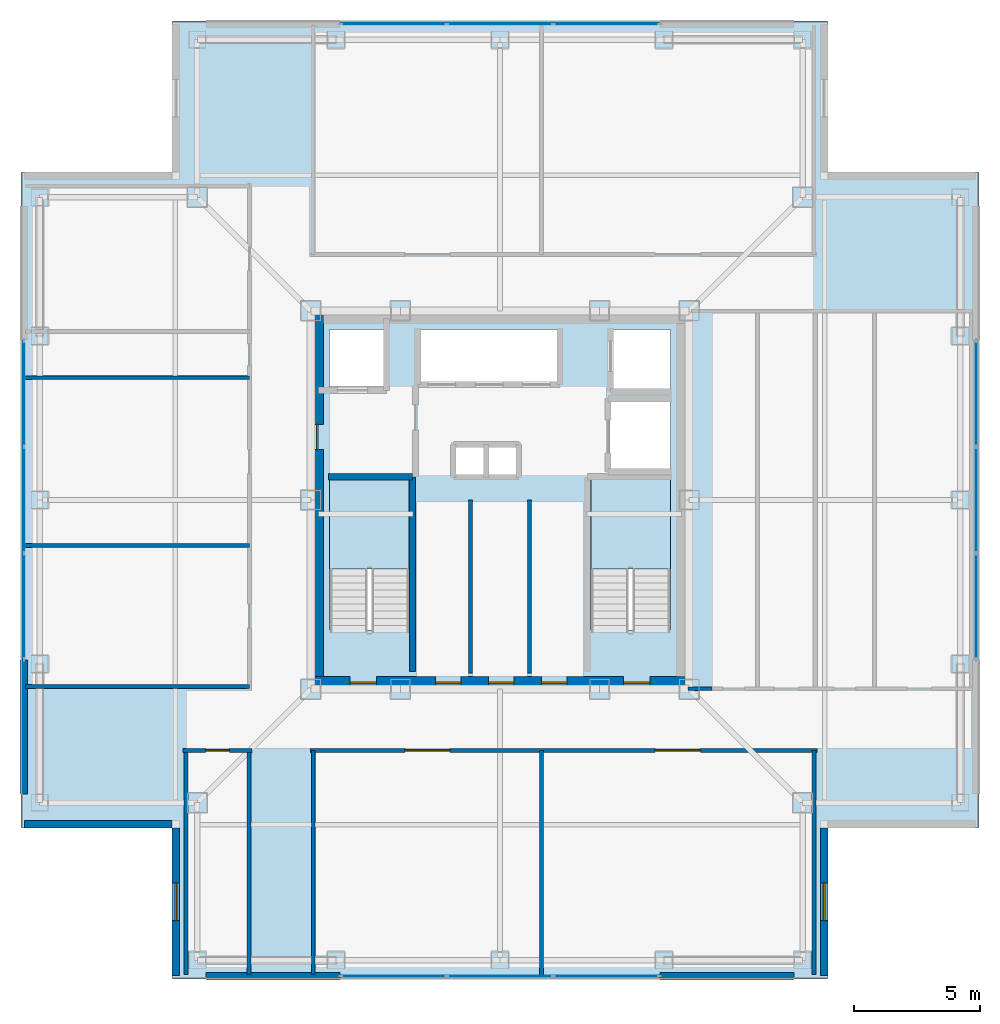
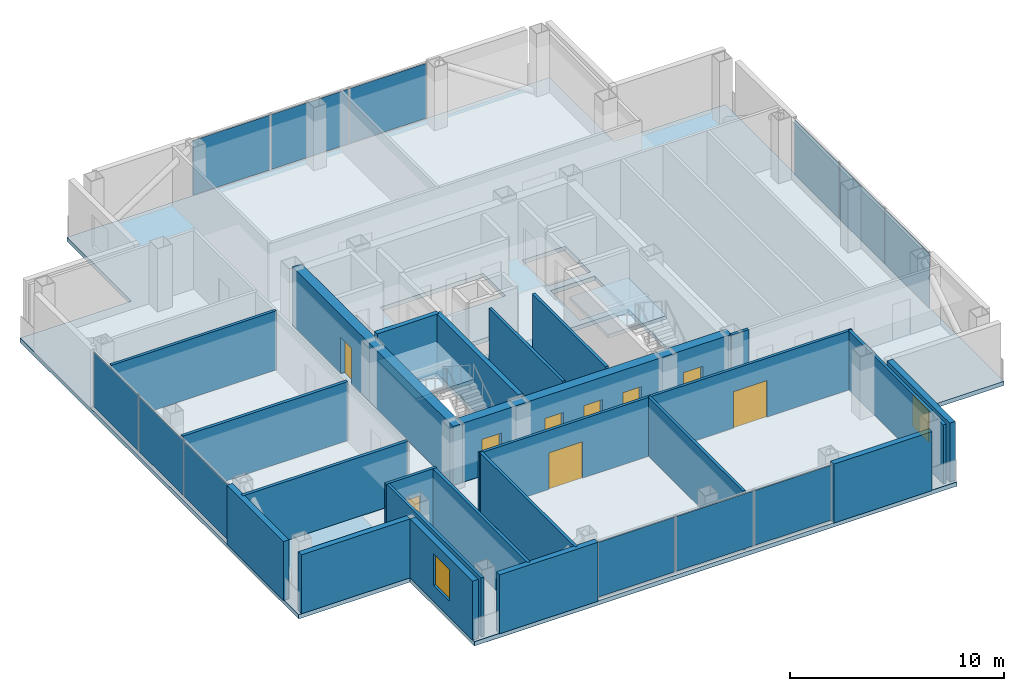
# One storey, part 8 of 16: 23 walls, 12 plates, 9 doors, 3 slabs, 2 windows, 11 openings, 6 elements without a shape of their own.
"""IFC4 building model written with IfcOpenShell, lengths in metres."""

from ifc_helpers import new_model, si_unit, direction, frame, frame_2d, origin, origin_2d, place, context, subcontext, project, spatial, polyline, rectangle, outline, extrude, material, layer, layer_set, type_object, element, fill, aggregate, save


model = new_model("IFC4")

# Units and contexts
model_context = context("Model", 3, precision=1e-05, world=origin(), true_north=direction((0.0, 1.0)))
body_context = subcontext(model_context, "Body", "Model", "MODEL_VIEW")
ifc_project = project(units=[si_unit("LENGTHUNIT", "METRE"), si_unit("AREAUNIT", "SQUARE_METRE"), si_unit("VOLUMEUNIT", "CUBIC_METRE"), si_unit("PLANEANGLEUNIT", "RADIAN"), si_unit("MASSUNIT", "GRAM", prefix="KILO")], contexts=[model_context])

# Site, building, storey
site_placement = place(None, origin())
site = spatial("IfcSite", under=ifc_project, at=site_placement, CompositionType="ELEMENT")
building_placement = place(site_placement, origin())
building = spatial("IfcBuilding", under=site, at=building_placement, Name="Trevonay Congress Spire", CompositionType="ELEMENT")
storey_placement = place(building_placement, frame((0.0, 0.0, 279.199951171875)))
storey = spatial("IfcBuildingStorey", under=building, at=storey_placement, Name="L73", CompositionType="ELEMENT", Elevation=279.199951171875)

# Curtain wall, plates
ifc_material_1 = material(Name="Pale Anodised Aluminium EN AW-6063-T6", Category="aluminium")
ifc_layer_1 = layer(ifc_material_1, 0.1650390625, Name="Pale Anodised Aluminium EN AW-6063-T6")
ifc_layer_set_1 = layer_set([ifc_layer_1], Name="Pale Anodised Aluminium EN AW-6063-T6")
curtain_wall_type = type_object("IfcCurtainWallType", Name="CW-SYS05-DIPLOM-PALE-METAL", PredefinedType="NOTDEFINED", material=ifc_layer_set_1)
curtain_wall_1_placement = place(storey_placement, origin())
curtain_wall_1 = element("IfcCurtainWall", 1, at=curtain_wall_1_placement, inside=storey, type_object=curtain_wall_type, Name="L73 S unitised curtain wall", PredefinedType="NOTDEFINED")
ifc_material_2 = material(Name="Insulated Low-E Vision Glass IGU", Category="glass")
ifc_layer_2 = layer(ifc_material_2, 0.035888671875, Name="Insulated Low-E Vision Glass IGU")
ifc_layer_set_2 = layer_set([ifc_layer_2], Name="Insulated Low-E Vision Glass IGU")
plate_type = type_object("IfcPlateType", Name="CW-PANEL-IGU36-SILVER", PredefinedType="CURTAIN_PANEL", material=ifc_layer_set_2)
plate_1_placement = place(storey_placement, frame((-4.21826171875, -18.8798828125, 0.119873046875), z_axis=(0.0, 0.0, 1.0), x_axis=(1.0, 0.0, 0.0)))
plate_1 = element("IfcPlate", 2, at=plate_1_placement, type_object=plate_type, Name="CW05 panel 1.1", PredefinedType="CURTAIN_PANEL", context=body_context, shape_type="SweptSolid", body=[
    extrude(rectangle(XDim=4.143310546875, YDim=0.035888671875, at=origin_2d()), origin(), (0.0, 0.0, 1.0), 3.1201171875),
])
plate_2_placement = place(storey_placement, frame((0.0, -18.8798828125, 0.119873046875), z_axis=(0.0, 0.0, 1.0), x_axis=(1.0, 0.0, 0.0)))
plate_2 = element("IfcPlate", 3, at=plate_2_placement, type_object=plate_type, Name="CW05 panel 2.1", PredefinedType="CURTAIN_PANEL", context=body_context, shape_type="SweptSolid", body=[
    extrude(rectangle(XDim=4.17333984375, YDim=0.035888671875, at=origin_2d()), origin(), (0.0, 0.0, 1.0), 3.1201171875),
])
plate_3_placement = place(storey_placement, frame((4.21826171875, -18.8798828125, 0.119873046875), z_axis=(0.0, 0.0, 1.0), x_axis=(1.0, 0.0, 0.0)))
plate_3 = element("IfcPlate", 4, at=plate_3_placement, type_object=plate_type, Name="CW05 panel 3.1", PredefinedType="CURTAIN_PANEL", context=body_context, shape_type="SweptSolid", body=[
    extrude(rectangle(XDim=4.143310546875, YDim=0.035888671875, at=origin_2d()), origin(), (0.0, 0.0, 1.0), 3.1201171875),
])
aggregate(curtain_wall_1, [plate_1, plate_2, plate_3])

curtain_wall_2_placement = place(storey_placement, origin())
curtain_wall_2 = element("IfcCurtainWall", 5, at=curtain_wall_2_placement, inside=storey, type_object=curtain_wall_type, Name="L73 N unitised curtain wall", PredefinedType="NOTDEFINED")
plate_4_placement = place(storey_placement, frame((-4.21826171875, 18.8798828125, 0.119873046875), z_axis=(0.0, 0.0, 1.0), x_axis=(1.0, 0.0, 0.0)))
plate_4 = element("IfcPlate", 6, at=plate_4_placement, type_object=plate_type, Name="CW05 panel 1.1", PredefinedType="CURTAIN_PANEL", context=body_context, shape_type="SweptSolid", body=[
    extrude(rectangle(XDim=4.143310546875, YDim=0.035888671875, at=origin_2d()), origin(), (0.0, 0.0, 1.0), 3.1201171875),
])
plate_5_placement = place(storey_placement, frame((0.0, 18.8798828125, 0.119873046875), z_axis=(0.0, 0.0, 1.0), x_axis=(1.0, 0.0, 0.0)))
plate_5 = element("IfcPlate", 7, at=plate_5_placement, type_object=plate_type, Name="CW05 panel 2.1", PredefinedType="CURTAIN_PANEL", context=body_context, shape_type="SweptSolid", body=[
    extrude(rectangle(XDim=4.17333984375, YDim=0.035888671875, at=origin_2d()), origin(), (0.0, 0.0, 1.0), 3.1201171875),
])
plate_6_placement = place(storey_placement, frame((4.21826171875, 18.8798828125, 0.119873046875), z_axis=(0.0, 0.0, 1.0), x_axis=(1.0, 0.0, 0.0)))
plate_6 = element("IfcPlate", 8, at=plate_6_placement, type_object=plate_type, Name="CW05 panel 3.1", PredefinedType="CURTAIN_PANEL", context=body_context, shape_type="SweptSolid", body=[
    extrude(rectangle(XDim=4.143310546875, YDim=0.035888671875, at=origin_2d()), origin(), (0.0, 0.0, 1.0), 3.1201171875),
])
aggregate(curtain_wall_2, [plate_4, plate_5, plate_6])

curtain_wall_3_placement = place(storey_placement, origin())
curtain_wall_3 = element("IfcCurtainWall", 9, at=curtain_wall_3_placement, inside=storey, type_object=curtain_wall_type, Name="L73 W unitised curtain wall", PredefinedType="NOTDEFINED")
plate_7_placement = place(storey_placement, frame((-18.8798828125, -4.21826171875, 0.119873046875), z_axis=(0.0, 0.0, 1.0), x_axis=(0.0, 1.0, 0.0)))
plate_7 = element("IfcPlate", 10, at=plate_7_placement, type_object=plate_type, Name="CW05 panel 1.1", PredefinedType="CURTAIN_PANEL", context=body_context, shape_type="SweptSolid", body=[
    extrude(rectangle(XDim=4.143310546875, YDim=0.035888671875, at=origin_2d()), origin(), (0.0, 0.0, 1.0), 3.1201171875),
])
plate_8_placement = place(storey_placement, frame((-18.8798828125, 0.0, 0.119873046875), z_axis=(0.0, 0.0, 1.0), x_axis=(0.0, 1.0, 0.0)))
plate_8 = element("IfcPlate", 11, at=plate_8_placement, type_object=plate_type, Name="CW05 panel 2.1", PredefinedType="CURTAIN_PANEL", context=body_context, shape_type="SweptSolid", body=[
    extrude(rectangle(XDim=4.17333984375, YDim=0.035888671875, at=origin_2d()), origin(), (0.0, 0.0, 1.0), 3.1201171875),
])
plate_9_placement = place(storey_placement, frame((-18.8798828125, 4.21826171875, 0.119873046875), z_axis=(0.0, 0.0, 1.0), x_axis=(0.0, 1.0, 0.0)))
plate_9 = element("IfcPlate", 12, at=plate_9_placement, type_object=plate_type, Name="CW05 panel 3.1", PredefinedType="CURTAIN_PANEL", context=body_context, shape_type="SweptSolid", body=[
    extrude(rectangle(XDim=4.143310546875, YDim=0.035888671875, at=origin_2d()), origin(), (0.0, 0.0, 1.0), 3.1201171875),
])
aggregate(curtain_wall_3, [plate_7, plate_8, plate_9])

curtain_wall_4_placement = place(storey_placement, origin())
curtain_wall_4 = element("IfcCurtainWall", 13, at=curtain_wall_4_placement, inside=storey, type_object=curtain_wall_type, Name="L73 E unitised curtain wall", PredefinedType="NOTDEFINED")
plate_10_placement = place(storey_placement, frame((18.8798828125, -4.21826171875, 0.119873046875), z_axis=(0.0, 0.0, 1.0), x_axis=(0.0, 1.0, 0.0)))
plate_10 = element("IfcPlate", 14, at=plate_10_placement, type_object=plate_type, Name="CW05 panel 1.1", PredefinedType="CURTAIN_PANEL", context=body_context, shape_type="SweptSolid", body=[
    extrude(rectangle(XDim=4.143310546875, YDim=0.035888671875, at=origin_2d()), origin(), (0.0, 0.0, 1.0), 3.1201171875),
])
plate_11_placement = place(storey_placement, frame((18.8798828125, 0.0, 0.119873046875), z_axis=(0.0, 0.0, 1.0), x_axis=(0.0, 1.0, 0.0)))
plate_11 = element("IfcPlate", 15, at=plate_11_placement, type_object=plate_type, Name="CW05 panel 2.1", PredefinedType="CURTAIN_PANEL", context=body_context, shape_type="SweptSolid", body=[
    extrude(rectangle(XDim=4.17333984375, YDim=0.035888671875, at=origin_2d()), origin(), (0.0, 0.0, 1.0), 3.1201171875),
])
plate_12_placement = place(storey_placement, frame((18.8798828125, 4.21826171875, 0.119873046875), z_axis=(0.0, 0.0, 1.0), x_axis=(0.0, 1.0, 0.0)))
plate_12 = element("IfcPlate", 16, at=plate_12_placement, type_object=plate_type, Name="CW05 panel 3.1", PredefinedType="CURTAIN_PANEL", context=body_context, shape_type="SweptSolid", body=[
    extrude(rectangle(XDim=4.143310546875, YDim=0.035888671875, at=origin_2d()), origin(), (0.0, 0.0, 1.0), 3.1201171875),
])
aggregate(curtain_wall_4, [plate_10, plate_11, plate_12])

# Stair, slab
ifc_material_3 = material(Name="Concrete C40/50", Category="concrete")
stair_type_1 = type_object("IfcStairType", Name="STR-ST-1", PredefinedType="HALF_TURN_STAIR", material=ifc_material_3)
stair_1_placement = place(storey_placement, origin())
stair_1 = element("IfcStair", 17, at=stair_1_placement, inside=storey, type_object=stair_type_1, Name="L73 Protected Exit Stair ST-1", PredefinedType="HALF_TURN_STAIR")
ifc_layer_3 = layer(ifc_material_3, 0.199951171875, Name="Concrete C40/50")
ifc_layer_set_3 = layer_set([ifc_layer_3], Name="Concrete C40/50")
slab_type_1 = type_object("IfcSlabType", Name="SLB-STAIR-LAND-200", PredefinedType="LANDING", material=ifc_layer_set_3)
slab_1_placement = place(storey_placement, frame((0.0, 0.0, 1.60009765625)))
slab_1 = element("IfcSlab", 18, at=slab_1_placement, type_object=slab_type_1, Name="ST-1 landing 1", PredefinedType="LANDING", context=body_context, shape_type="SweptSolid", body=[
    extrude(outline(polyline([(-3.60009765625, -2.72998046875), (-3.60009765625, 0.85009765625), (-6.75, 0.85009765625), (-6.75, -2.72998046875), (-3.60009765625, -2.72998046875)])), origin(), (0.0, 0.0, 1.0), 0.199951171875),
])
aggregate(stair_1, [slab_1])

stair_type_2 = type_object("IfcStairType", Name="STR-ST-2", PredefinedType="HALF_TURN_STAIR", material=ifc_material_3)
stair_2_placement = place(storey_placement, origin())
stair_2 = element("IfcStair", 19, at=stair_2_placement, inside=storey, type_object=stair_type_2, Name="L73 Protected Exit Stair ST-2", PredefinedType="HALF_TURN_STAIR")
slab_2_placement = place(storey_placement, frame((0.0, 0.0, 1.60009765625)))
slab_2 = element("IfcSlab", 20, at=slab_2_placement, type_object=slab_type_1, Name="ST-2 landing 1", PredefinedType="LANDING", context=body_context, shape_type="SweptSolid", body=[
    extrude(outline(polyline([(6.75, -2.72998046875), (6.75, 0.85009765625), (3.60009765625, 0.85009765625), (3.60009765625, -2.72998046875), (6.75, -2.72998046875)])), origin(), (0.0, 0.0, 1.0), 0.199951171875),
])
aggregate(stair_2, [slab_2])

# Slab
ifc_layer_4 = layer(ifc_material_3, 0.239990234375, Name="Concrete C40/50")
ifc_layer_set_4 = layer_set([ifc_layer_4], Name="Concrete C40/50")
slab_type_2 = type_object("IfcSlabType", Name="SLB-TOW2-240", PredefinedType="FLOOR", material=ifc_layer_set_4)
slab_3_placement = place(storey_placement, frame((0.0, 0.0, -0.239990234375)))
element("IfcSlab", 21, at=slab_3_placement, inside=storey, type_object=slab_type_2, Name="L73 structural floor slab", PredefinedType="FLOOR", context=body_context, shape_type="SweptSolid", body=[
    extrude(outline(polyline([(-13.0, -19.0), (13.0, -19.0), (13.0, -13.0), (19.0, -13.0), (19.0, 13.0), (13.0, 13.0), (13.0, 19.0), (-13.0, 19.0), (-13.0, 13.0), (-19.0, 13.0), (-19.0, -13.0), (-13.0, -13.0), (-13.0, -19.0)]), holes=[polyline([(-3.60009765625, -5.14990234375), (-3.60009765625, 0.85009765625), (-6.75, 0.85009765625), (-6.75, -5.14990234375), (-3.60009765625, -5.14990234375)]), polyline([(6.75, -5.14990234375), (6.75, 0.85009765625), (3.60009765625, 0.85009765625), (3.60009765625, -5.14990234375), (6.75, -5.14990234375)]), polyline([(-3.199951171875, 4.64990234375), (2.340087890625, 4.64990234375), (2.340087890625, 6.75), (-3.199951171875, 6.75), (-3.199951171875, 4.64990234375)]), polyline([(-6.75, 4.35009765625), (-4.449951171875, 4.35009765625), (-4.449951171875, 6.75), (-6.75, 6.75), (-6.75, 4.35009765625)]), polyline([(4.449951171875, 4.35009765625), (6.75, 4.35009765625), (6.75, 6.75), (4.449951171875, 6.75), (4.449951171875, 4.35009765625)]), polyline([(4.35009765625, 1.199951171875), (6.75, 1.199951171875), (6.75, 3.949951171875), (4.35009765625, 3.949951171875), (4.35009765625, 1.199951171875)]), polyline([(-1.800048828125, 0.949951171875), (0.699951171875, 0.949951171875), (0.699951171875, 2.14990234375), (-1.800048828125, 2.14990234375), (-1.800048828125, 0.949951171875)])]), origin(), (0.0, 0.0, 1.0), 0.239990234375),
])

# Wall, openings, doors
ifc_material_4 = material(Name="Concrete C50/60", Category="concrete")
ifc_layer_5 = layer(ifc_material_4, 0.5, Name="Concrete C50/60")
ifc_layer_set_5 = layer_set([ifc_layer_5], Name="Concrete C50/60")
wall_type_1 = type_object("IfcWallType", Name="WAL-CORE-500", PredefinedType="SHEAR", material=ifc_layer_set_5)
wall_1_placement = place(storey_placement, frame((-7.5, -7.25, 0.0), z_axis=(0.0, 0.0, 1.0), x_axis=(1.0, 0.0, 0.0)))
wall_1 = element("IfcWall", 22, at=wall_1_placement, inside=storey, type_object=wall_type_1, Name="L73 South structural core shear wall", PredefinedType="SHEAR", context=body_context, shape_type="SweptSolid", body=[
    extrude(rectangle(XDim=15.0, YDim=0.5, at=frame_2d((7.5, 0.0))), origin(), (0.0, 0.0, 1.0), 3.360107421875),
])
opening_1_placement = place(wall_1_placement, frame((1.550048828125, 0.0, 0.0)))
opening_1 = element("IfcOpeningElement", 23, at=opening_1_placement, cuts=wall_1, Name="Opening D05", PredefinedType="OPENING", context=body_context, shape_type="SweptSolid", body=[
    extrude(rectangle(XDim=1.050048828125, YDim=2.080078125, at=frame_2d((0.52490234375, 1.0400390625))), frame((0.0, 0.260009765625, 0.0), z_axis=(0.0, -1.0, 0.0), x_axis=(1.0, 0.0, 0.0)), (0.0, 0.0, 1.0), 0.52001953125),
])
opening_2_placement = place(wall_1_placement, frame((12.39990234375, 0.0, 0.0)))
opening_2 = element("IfcOpeningElement", 24, at=opening_2_placement, cuts=wall_1, Name="Opening D05", PredefinedType="OPENING", context=body_context, shape_type="SweptSolid", body=[
    extrude(rectangle(XDim=1.050048828125, YDim=2.080078125, at=frame_2d((0.52490234375, 1.0400390625))), frame((0.0, 0.260009765625, 0.0), z_axis=(0.0, -1.0, 0.0), x_axis=(1.0, 0.0, 0.0)), (0.0, 0.0, 1.0), 0.52001953125),
])
opening_3_placement = place(wall_1_placement, frame((4.949951171875, 0.0, 0.0)))
opening_3 = element("IfcOpeningElement", 25, at=opening_3_placement, cuts=wall_1, Name="Opening D06", PredefinedType="OPENING", context=body_context, shape_type="SweptSolid", body=[
    extrude(rectangle(XDim=1.0, YDim=2.080078125, at=frame_2d((0.5, 1.0400390625))), frame((0.0, 0.260009765625, 0.0), z_axis=(0.0, -1.0, 0.0), x_axis=(1.0, 0.0, 0.0)), (0.0, 0.0, 1.0), 0.52001953125),
])
opening_4_placement = place(wall_1_placement, frame((7.050048828125, 0.0, 0.0)))
opening_4 = element("IfcOpeningElement", 26, at=opening_4_placement, cuts=wall_1, Name="Opening D06", PredefinedType="OPENING", context=body_context, shape_type="SweptSolid", body=[
    extrude(rectangle(XDim=1.0, YDim=2.080078125, at=frame_2d((0.5, 1.0400390625))), frame((0.0, 0.260009765625, 0.0), z_axis=(0.0, -1.0, 0.0), x_axis=(1.0, 0.0, 0.0)), (0.0, 0.0, 1.0), 0.52001953125),
])
opening_5_placement = place(wall_1_placement, frame((9.14990234375, 0.0, 0.0)))
opening_5 = element("IfcOpeningElement", 27, at=opening_5_placement, cuts=wall_1, Name="Opening D06", PredefinedType="OPENING", context=body_context, shape_type="SweptSolid", body=[
    extrude(rectangle(XDim=1.0, YDim=2.080078125, at=frame_2d((0.5, 1.0400390625))), frame((0.0, 0.260009765625, 0.0), z_axis=(0.0, -1.0, 0.0), x_axis=(1.0, 0.0, 0.0)), (0.0, 0.0, 1.0), 0.52001953125),
])
ifc_material_5 = material(Name="Steel ASTM A572 Grade 50", Category="steel")
door_type_1 = type_object("IfcDoorType", Name="DOR-FIRE-100", OperationType="NOTDEFINED", PredefinedType="DOOR", material=ifc_material_5)
door_1_placement = place(opening_3_placement, origin())
door_1 = element("IfcDoor", 28, at=door_1_placement, inside=storey, type_object=door_type_1, Name="L73 South Core Room 1 Door", OperationType="SINGLE_SWING_LEFT", OverallHeight=2.080078125, OverallWidth=1.0, PredefinedType="DOOR", context=body_context, shape_type="SweptSolid", body=[
    extrude(rectangle(XDim=1.0, YDim=2.080078125, at=frame_2d((0.5, 1.0400390625))), frame((0.0, 0.02490234375, 0.0), z_axis=(0.0, -1.0, 0.0), x_axis=(1.0, 0.0, 0.0)), (0.0, 0.0, 1.0), 0.050048828125),
])
fill(opening_3, door_1)
door_2_placement = place(opening_4_placement, origin())
door_2 = element("IfcDoor", 29, at=door_2_placement, inside=storey, type_object=door_type_1, Name="L73 South Core Room 2 Door", OperationType="SINGLE_SWING_RIGHT", OverallHeight=2.080078125, OverallWidth=1.0, PredefinedType="DOOR", context=body_context, shape_type="SweptSolid", body=[
    extrude(rectangle(XDim=1.0, YDim=2.080078125, at=frame_2d((0.5, 1.0400390625))), frame((0.0, 0.02490234375, 0.0), z_axis=(0.0, -1.0, 0.0), x_axis=(1.0, 0.0, 0.0)), (0.0, 0.0, 1.0), 0.050048828125),
])
fill(opening_4, door_2)
door_3_placement = place(opening_5_placement, origin())
door_3 = element("IfcDoor", 30, at=door_3_placement, inside=storey, type_object=door_type_1, Name="L73 South Core Room 3 Door", OperationType="SINGLE_SWING_LEFT", OverallHeight=2.080078125, OverallWidth=1.0, PredefinedType="DOOR", context=body_context, shape_type="SweptSolid", body=[
    extrude(rectangle(XDim=1.0, YDim=2.080078125, at=frame_2d((0.5, 1.0400390625))), frame((0.0, 0.02490234375, 0.0), z_axis=(0.0, -1.0, 0.0), x_axis=(1.0, 0.0, 0.0)), (0.0, 0.0, 1.0), 0.050048828125),
])
fill(opening_5, door_3)
door_type_2 = type_object("IfcDoorType", Name="DOR-STAIR-110", OperationType="NOTDEFINED", PredefinedType="DOOR", material=ifc_material_5)
door_4_placement = place(opening_1_placement, origin())
door_4 = element("IfcDoor", 31, at=door_4_placement, inside=storey, type_object=door_type_2, Name="L73 Protected Stair ST-1 Door", OperationType="SINGLE_SWING_RIGHT", OverallHeight=2.080078125, OverallWidth=1.050048828125, PredefinedType="DOOR", context=body_context, shape_type="SweptSolid", body=[
    extrude(rectangle(XDim=1.050048828125, YDim=2.080078125, at=frame_2d((0.52490234375, 1.0400390625))), frame((0.0, 0.02490234375, 0.0), z_axis=(0.0, -1.0, 0.0), x_axis=(1.0, 0.0, 0.0)), (0.0, 0.0, 1.0), 0.050048828125),
])
fill(opening_1, door_4)
door_5_placement = place(opening_2_placement, origin())
door_5 = element("IfcDoor", 32, at=door_5_placement, inside=storey, type_object=door_type_2, Name="L73 Protected Stair ST-2 Door", OperationType="SINGLE_SWING_LEFT", OverallHeight=2.080078125, OverallWidth=1.050048828125, PredefinedType="DOOR", context=body_context, shape_type="SweptSolid", body=[
    extrude(rectangle(XDim=1.050048828125, YDim=2.080078125, at=frame_2d((0.52490234375, 1.0400390625))), frame((0.0, 0.02490234375, 0.0), z_axis=(0.0, -1.0, 0.0), x_axis=(1.0, 0.0, 0.0)), (0.0, 0.0, 1.0), 0.050048828125),
])
fill(opening_2, door_5)

# Wall, opening, door
wall_2_placement = place(storey_placement, frame((-7.25, -7.5, 0.0), z_axis=(0.0, 0.0, 1.0), x_axis=(0.0, 1.0, 0.0)))
wall_2 = element("IfcWall", 33, at=wall_2_placement, inside=storey, type_object=wall_type_1, Name="L73 West structural core shear wall", PredefinedType="SHEAR", context=body_context, shape_type="SweptSolid", body=[
    extrude(rectangle(XDim=15.0, YDim=0.5, at=frame_2d((7.5, 0.0))), origin(), (0.0, 0.0, 1.0), 3.360107421875),
])
opening_6_placement = place(wall_2_placement, frame((9.5, 0.0, 0.0)))
opening_6 = element("IfcOpeningElement", 34, at=opening_6_placement, cuts=wall_2, Name="Opening D06", PredefinedType="OPENING", context=body_context, shape_type="SweptSolid", body=[
    extrude(rectangle(XDim=1.0, YDim=2.080078125, at=frame_2d((0.5, 1.0400390625))), frame((0.0, 0.260009765625, 0.0), z_axis=(0.0, -1.0, 0.0), x_axis=(1.0, 0.0, 0.0)), (0.0, 0.0, 1.0), 0.52001953125),
])
door_6_placement = place(opening_6_placement, origin())
door_6 = element("IfcDoor", 35, at=door_6_placement, inside=storey, type_object=door_type_1, Name="L73 Firefighting Lift Lobby West Corridor Door", OperationType="SINGLE_SWING_RIGHT", OverallHeight=2.080078125, OverallWidth=1.0, PredefinedType="DOOR", context=body_context, shape_type="SweptSolid", body=[
    extrude(rectangle(XDim=1.0, YDim=2.080078125, at=frame_2d((0.5, 1.0400390625))), frame((0.0, 0.02490234375, 0.0), z_axis=(0.0, -1.0, 0.0), x_axis=(1.0, 0.0, 0.0)), (0.0, 0.0, 1.0), 0.050048828125),
])
fill(opening_6, door_6)

ifc_layer_6 = layer(ifc_material_3, 0.14990234375, Name="Concrete C40/50")
ifc_layer_set_6 = layer_set([ifc_layer_6], Name="Concrete C40/50")
wall_type_2 = type_object("IfcWallType", Name="WAL-CORR-150", PredefinedType="PARTITIONING", material=ifc_layer_set_6)
wall_3_placement = place(storey_placement, frame((-12.570068359375, -9.929931640625, 0.0), z_axis=(0.0, 0.0, 1.0), x_axis=(1.0, 0.0, 0.0)))
wall_3 = element("IfcWall", 36, at=wall_3_placement, inside=storey, type_object=wall_type_2, Name="L73 interior wall WP-L73SW-COR", PredefinedType="PARTITIONING", context=body_context, shape_type="SweptSolid", body=[
    extrude(rectangle(XDim=2.739990234375, YDim=0.14990234375, at=frame_2d((1.3701171875, 0.0))), origin(), (0.0, 0.0, 1.0), 3.360107421875),
])
opening_7_placement = place(wall_3_placement, frame((0.89501953125, 0.0, 0.0)))
opening_7 = element("IfcOpeningElement", 37, at=opening_7_placement, cuts=wall_3, Name="Opening D07", PredefinedType="OPENING", context=body_context, shape_type="SweptSolid", body=[
    extrude(rectangle(XDim=0.949951171875, YDim=2.06005859375, at=frame_2d((0.47509765625, 1.030029296875))), frame((0.0, 0.0849609375, 0.0), z_axis=(0.0, -1.0, 0.0), x_axis=(1.0, 0.0, 0.0)), (0.0, 0.0, 1.0), 0.169921875),
])
door_type_3 = type_object("IfcDoorType", Name="DOR-OFFICE-95", OperationType="NOTDEFINED", PredefinedType="DOOR", material=ifc_material_1)
door_7_placement = place(opening_7_placement, origin())
door_7 = element("IfcDoor", 38, at=door_7_placement, inside=storey, type_object=door_type_3, Name="L73 Managing Director Suite Office Door", OperationType="SINGLE_SWING_LEFT", OverallHeight=2.06005859375, OverallWidth=0.949951171875, PredefinedType="DOOR", context=body_context, shape_type="SweptSolid", body=[
    extrude(rectangle(XDim=0.949951171875, YDim=2.06005859375, at=frame_2d((0.47509765625, 1.030029296875))), frame((0.0, 0.02490234375, 0.0), z_axis=(0.0, -1.0, 0.0), x_axis=(1.0, 0.0, 0.0)), (0.0, 0.0, 1.0), 0.050048828125),
])
fill(opening_7, door_7)

# Wall, openings, doors
wall_4_placement = place(storey_placement, frame((-7.52001953125, -9.929931640625, 0.0), z_axis=(0.0, 0.0, 1.0), x_axis=(1.0, 0.0, 0.0)))
wall_4 = element("IfcWall", 39, at=wall_4_placement, inside=storey, type_object=wall_type_2, Name="L73 interior wall WP-L73SE-COR", PredefinedType="PARTITIONING", context=body_context, shape_type="SweptSolid", body=[
    extrude(rectangle(XDim=20.090087890625, YDim=0.14990234375, at=frame_2d((10.044921875, 0.0))), origin(), (0.0, 0.0, 1.0), 3.360107421875),
])
opening_8_placement = place(wall_4_placement, frame((3.7451171875, 0.0, 0.0)))
opening_8 = element("IfcOpeningElement", 40, at=opening_8_placement, cuts=wall_4, Name="Opening D09", PredefinedType="OPENING", context=body_context, shape_type="SweptSolid", body=[
    extrude(rectangle(XDim=1.800048828125, YDim=2.080078125, at=frame_2d((0.89990234375, 1.0400390625))), frame((0.0, 0.0849609375, 0.0), z_axis=(0.0, -1.0, 0.0), x_axis=(1.0, 0.0, 0.0)), (0.0, 0.0, 1.0), 0.169921875),
])
opening_9_placement = place(wall_4_placement, frame((13.669921875, 0.0, 0.0)))
opening_9 = element("IfcOpeningElement", 41, at=opening_9_placement, cuts=wall_4, Name="Opening D09", PredefinedType="OPENING", context=body_context, shape_type="SweptSolid", body=[
    extrude(rectangle(XDim=1.800048828125, YDim=2.080078125, at=frame_2d((0.89990234375, 1.0400390625))), frame((0.0, 0.0849609375, 0.0), z_axis=(0.0, -1.0, 0.0), x_axis=(1.0, 0.0, 0.0)), (0.0, 0.0, 1.0), 0.169921875),
])
door_type_4 = type_object("IfcDoorType", Name="DOR-CONF-DBL", OperationType="DOUBLE_DOOR_SINGLE_SWING", PredefinedType="DOOR", material=ifc_material_1)
door_8_placement = place(opening_8_placement, origin())
door_8 = element("IfcDoor", 42, at=door_8_placement, inside=storey, type_object=door_type_4, Name="L73 Investment Committee Boardroom Door", OperationType="DOUBLE_DOOR_SINGLE_SWING", OverallHeight=2.080078125, OverallWidth=1.800048828125, PredefinedType="DOOR", context=body_context, shape_type="SweptSolid", body=[
    extrude(rectangle(XDim=1.800048828125, YDim=2.080078125, at=frame_2d((0.89990234375, 1.0400390625))), frame((0.0, 0.02490234375, 0.0), z_axis=(0.0, -1.0, 0.0), x_axis=(1.0, 0.0, 0.0)), (0.0, 0.0, 1.0), 0.050048828125),
])
fill(opening_8, door_8)
door_9_placement = place(opening_9_placement, origin())
door_9 = element("IfcDoor", 43, at=door_9_placement, inside=storey, type_object=door_type_4, Name="L73 LP Advisory Boardroom Door", OperationType="DOUBLE_DOOR_SINGLE_SWING", OverallHeight=2.080078125, OverallWidth=1.800048828125, PredefinedType="DOOR", context=body_context, shape_type="SweptSolid", body=[
    extrude(rectangle(XDim=1.800048828125, YDim=2.080078125, at=frame_2d((0.89990234375, 1.0400390625))), frame((0.0, 0.02490234375, 0.0), z_axis=(0.0, -1.0, 0.0), x_axis=(1.0, 0.0, 0.0)), (0.0, 0.0, 1.0), 0.050048828125),
])
fill(opening_9, door_9)

# Walls
wall_5_placement = place(storey_placement, frame((7.449951171875, -7.47998046875, 0.0), z_axis=(0.0, 0.0, 1.0), x_axis=(1.0, 0.0, 0.0)))
element("IfcWall", 44, at=wall_5_placement, inside=storey, type_object=wall_type_2, Name="L73 interior wall WP-L73E-STUB", PredefinedType="PARTITIONING", context=body_context, shape_type="SweptSolid", body=[
    extrude(rectangle(XDim=0.949951171875, YDim=0.14990234375, at=frame_2d((0.47509765625, 0.0))), origin(), (0.0, 0.0, 1.0), 3.360107421875),
])
ifc_material_6 = material(Name="Precast concrete C40/50", Category="concrete")
ifc_layer_7 = layer(ifc_material_6, 0.300048828125, Name="Precast concrete C40/50")
ifc_layer_set_7 = layer_set([ifc_layer_7], Name="Precast concrete C40/50")
wall_type_3 = type_object("IfcWallType", Name="WAL-EXT-PRECAST-300", PredefinedType="SOLIDWALL", material=ifc_layer_set_7)
for number, where, z_axis, x_axis, name in (
    (45, (-11.64990234375, -18.8798828125, 0.0), (0.0, 0.0, 1.0), (1.0, 0.0, 0.0), "L73 SL braced-bay exterior pier wall"),
    (46, (6.35009765625, -18.8798828125, 0.0), (0.0, 0.0, 1.0), (1.0, 0.0, 0.0), "L73 SR braced-bay exterior pier wall"),
    (47, (-18.8798828125, -11.64990234375, 0.0), (0.0, 0.0, 1.0), (0.0, 1.0, 0.0), "L73 WL braced-bay exterior pier wall"),
):
    element("IfcWall", number, at=place(storey_placement, frame(where, z_axis=z_axis, x_axis=x_axis)), inside=storey, type_object=wall_type_3, Name=name, PredefinedType="SOLIDWALL", context=body_context, shape_type="SweptSolid", body=[
        extrude(rectangle(XDim=5.2998046875, YDim=0.300048828125, at=frame_2d((2.64990234375, 0.0))), origin(), (0.0, 0.0, 1.0), 3.360107421875),
    ])

# Wall, opening, window
wall_6_placement = place(storey_placement, frame((-12.85009765625, -18.85009765625, 0.0), z_axis=(0.0, 0.0, 1.0), x_axis=(0.0, 1.0, 0.0)))
wall_6 = element("IfcWall", 48, at=wall_6_placement, inside=storey, type_object=wall_type_3, Name="L73 SW re-entrant notch exterior wall 1", PredefinedType="SOLIDWALL", context=body_context, shape_type="SweptSolid", body=[
    extrude(rectangle(XDim=5.85009765625, YDim=0.300048828125, at=frame_2d((2.925048828125, 0.0))), origin(), (0.0, 0.0, 1.0), 3.360107421875),
])
opening_10_placement = place(wall_6_placement, frame((2.175048828125, 0.0, 0.89990234375)))
opening_10 = element("IfcOpeningElement", 49, at=opening_10_placement, cuts=wall_6, Name="Opening WN03", PredefinedType="OPENING", context=body_context, shape_type="SweptSolid", body=[
    extrude(rectangle(XDim=1.5, YDim=1.800048828125, at=frame_2d((0.75, 0.89990234375))), frame((0.0, 0.16015625, 0.0), z_axis=(0.0, -1.0, 0.0), x_axis=(1.0, 0.0, 0.0)), (0.0, 0.0, 1.0), 0.320068359375),
])
window_type = type_object("IfcWindowType", Name="WIN-NOTCH-150X180", PartitioningType="SINGLE_PANEL", PredefinedType="WINDOW", material=ifc_material_2)
window_1_placement = place(opening_10_placement, origin())
window_1 = element("IfcWindow", 50, at=window_1_placement, inside=storey, type_object=window_type, Name="L73 SW corner notch window", OverallHeight=1.800048828125, OverallWidth=1.5, PartitioningType="SINGLE_PANEL", PredefinedType="WINDOW", context=body_context, shape_type="SweptSolid", body=[
    extrude(rectangle(XDim=1.5, YDim=1.800048828125, at=frame_2d((0.75, 0.89990234375))), frame((0.0, 0.030029296875, 0.0), z_axis=(0.0, -1.0, 0.0), x_axis=(1.0, 0.0, 0.0)), (0.0, 0.0, 1.0), 0.06005859375),
])
fill(opening_10, window_1)

# Wall
wall_7_placement = place(storey_placement, frame((-18.85009765625, -12.85009765625, 0.0), z_axis=(0.0, 0.0, 1.0), x_axis=(1.0, 0.0, 0.0)))
element("IfcWall", 51, at=wall_7_placement, inside=storey, type_object=wall_type_3, Name="L73 SW re-entrant notch exterior wall 2", PredefinedType="SOLIDWALL", context=body_context, shape_type="SweptSolid", body=[
    extrude(rectangle(XDim=5.85009765625, YDim=0.300048828125, at=frame_2d((2.925048828125, 0.0))), origin(), (0.0, 0.0, 1.0), 3.360107421875),
])

# Wall, opening, window
wall_8_placement = place(storey_placement, frame((12.85009765625, -18.85009765625, 0.0), z_axis=(0.0, 0.0, 1.0), x_axis=(0.0, 1.0, 0.0)))
wall_8 = element("IfcWall", 52, at=wall_8_placement, inside=storey, type_object=wall_type_3, Name="L73 SE re-entrant notch exterior wall 1", PredefinedType="SOLIDWALL", context=body_context, shape_type="SweptSolid", body=[
    extrude(rectangle(XDim=5.85009765625, YDim=0.300048828125, at=frame_2d((2.925048828125, 0.0))), origin(), (0.0, 0.0, 1.0), 3.360107421875),
])
opening_11_placement = place(wall_8_placement, frame((2.175048828125, 0.0, 0.89990234375)))
opening_11 = element("IfcOpeningElement", 53, at=opening_11_placement, cuts=wall_8, Name="Opening WN03", PredefinedType="OPENING", context=body_context, shape_type="SweptSolid", body=[
    extrude(rectangle(XDim=1.5, YDim=1.800048828125, at=frame_2d((0.75, 0.89990234375))), frame((0.0, 0.16015625, 0.0), z_axis=(0.0, -1.0, 0.0), x_axis=(1.0, 0.0, 0.0)), (0.0, 0.0, 1.0), 0.320068359375),
])
window_2_placement = place(opening_11_placement, origin())
window_2 = element("IfcWindow", 54, at=window_2_placement, inside=storey, type_object=window_type, Name="L73 SE corner notch window", OverallHeight=1.800048828125, OverallWidth=1.5, PartitioningType="SINGLE_PANEL", PredefinedType="WINDOW", context=body_context, shape_type="SweptSolid", body=[
    extrude(rectangle(XDim=1.5, YDim=1.800048828125, at=frame_2d((0.75, 0.89990234375))), frame((0.0, 0.030029296875, 0.0), z_axis=(0.0, -1.0, 0.0), x_axis=(1.0, 0.0, 0.0)), (0.0, 0.0, 1.0), 0.06005859375),
])
fill(opening_11, window_2)

# Walls
ifc_layer_8 = layer(ifc_material_3, 0.14990234375, Name="Concrete C40/50")
ifc_layer_set_8 = layer_set([ifc_layer_8], Name="Concrete C40/50")
wall_type_4 = type_object("IfcWallType", Name="WAL-PART-150", PredefinedType="PARTITIONING", material=ifc_layer_set_8)
for number, where, z_axis, x_axis, name in (
    (55, (-1.169921875, -6.85009765625, 0.0), (0.0, 0.0, 1.0), (0.0, 1.0, 0.0), "L73 interior wall CW-F2A-L73"),
    (56, (1.169921875, -6.85009765625, 0.0), (0.0, 0.0, 1.0), (0.0, 1.0, 0.0), "L73 interior wall CW-F2B-L73"),
):
    element("IfcWall", number, at=place(storey_placement, frame(where, z_axis=z_axis, x_axis=x_axis)), inside=storey, type_object=wall_type_4, Name=name, PredefinedType="PARTITIONING", context=body_context, shape_type="SweptSolid", body=[
        extrude(rectangle(XDim=6.85009765625, YDim=0.14990234375, at=frame_2d((3.425048828125, 0.0))), origin(), (0.0, 0.0, 1.0), 3.360107421875),
    ])
for number, where, z_axis, x_axis, name in (
    (57, (-12.449951171875, -18.820068359375, 0.0), (0.0, 0.0, 1.0), (0.0, 1.0, 0.0), "L73 interior wall WP-L73SW-DIV1"),
    (58, (-9.949951171875, -18.820068359375, 0.0), (0.0, 0.0, 1.0), (0.0, 1.0, 0.0), "L73 interior wall WP-L73SW-DIV2"),
    (59, (-7.39990234375, -18.820068359375, 0.0), (0.0, 0.0, 1.0), (0.0, 1.0, 0.0), "L73 interior wall WP-L73SE-DIV1"),
    (60, (1.64990234375, -18.820068359375, 0.0), (0.0, 0.0, 1.0), (0.0, 1.0, 0.0), "L73 interior wall WP-L73SE-DIV2"),
    (61, (12.449951171875, -18.820068359375, 0.0), (0.0, 0.0, 1.0), (0.0, 1.0, 0.0), "L73 interior wall WP-L73SE-DIV3"),
    (62, (-18.820068359375, 4.85009765625, 0.0), (0.0, 0.0, 1.0), (1.0, 0.0, 0.0), "L73 interior wall WP-L73NW-DIV3"),
):
    element("IfcWall", number, at=place(storey_placement, frame(where, z_axis=z_axis, x_axis=x_axis)), inside=storey, type_object=wall_type_4, Name=name, PredefinedType="PARTITIONING", context=body_context, shape_type="SweptSolid", body=[
        extrude(rectangle(XDim=8.89013671875, YDim=0.14990234375, at=frame_2d((4.445068359375, 0.0))), origin(), (0.0, 0.0, 1.0), 3.360107421875),
    ])
ifc_layer_9 = layer(ifc_material_3, 0.25, Name="Concrete C40/50")
ifc_layer_set_9 = layer_set([ifc_layer_9], Name="Concrete C40/50")
wall_type_5 = type_object("IfcWallType", Name="WAL-SHAFT-LB-250", PredefinedType="SHEAR", material=ifc_layer_set_9)
wall_9_placement = place(storey_placement, frame((-3.469970703125, -6.800048828125, 0.0), z_axis=(0.0, 0.0, 1.0), x_axis=(0.0, 1.0, 0.0)))
element("IfcWall", 63, at=wall_9_placement, inside=storey, type_object=wall_type_5, Name="L73 interior shaft wall WSH-L73-ST1-E", PredefinedType="SHEAR", context=body_context, shape_type="SweptSolid", body=[
    extrude(rectangle(XDim=7.719970703125, YDim=0.25, at=frame_2d((3.85986328125, 0.0))), origin(), (0.0, 0.0, 1.0), 3.360107421875),
])
wall_10_placement = place(storey_placement, frame((-6.800048828125, 0.919921875, 0.0), z_axis=(0.0, 0.0, 1.0), x_axis=(1.0, 0.0, 0.0)))
element("IfcWall", 64, at=wall_10_placement, inside=storey, type_object=wall_type_5, Name="L73 interior shaft wall WSH-L73-ST1-N", PredefinedType="SHEAR", context=body_context, shape_type="SweptSolid", body=[
    extrude(rectangle(XDim=3.330078125, YDim=0.25, at=frame_2d((1.6650390625, 0.0))), origin(), (0.0, 0.0, 1.0), 3.360107421875),
])
ifc_layer_10 = layer(ifc_material_3, 0.1650390625, Name="Concrete C40/50")
ifc_layer_set_10 = layer_set([ifc_layer_10], Name="Concrete C40/50")
wall_type_6 = type_object("IfcWallType", Name="WAL-WET-165", PredefinedType="PLUMBINGWALL", material=ifc_layer_set_10)
for number, where, z_axis, x_axis, name in (
    (65, (-18.820068359375, -7.39990234375, 0.0), (0.0, 0.0, 1.0), (1.0, 0.0, 0.0), "L73 interior wall WP-L73NW-DIV1"),
    (66, (-18.820068359375, -1.800048828125, 0.0), (0.0, 0.0, 1.0), (1.0, 0.0, 0.0), "L73 interior wall WP-L73NW-DIV2"),
):
    element("IfcWall", number, at=place(storey_placement, frame(where, z_axis=z_axis, x_axis=x_axis)), inside=storey, type_object=wall_type_6, Name=name, PredefinedType="PLUMBINGWALL", context=body_context, shape_type="SweptSolid", body=[
        extrude(rectangle(XDim=8.89013671875, YDim=0.1650390625, at=frame_2d((4.445068359375, 0.0))), origin(), (0.0, 0.0, 1.0), 3.360107421875),
    ])

save(model, "model.ifc")
